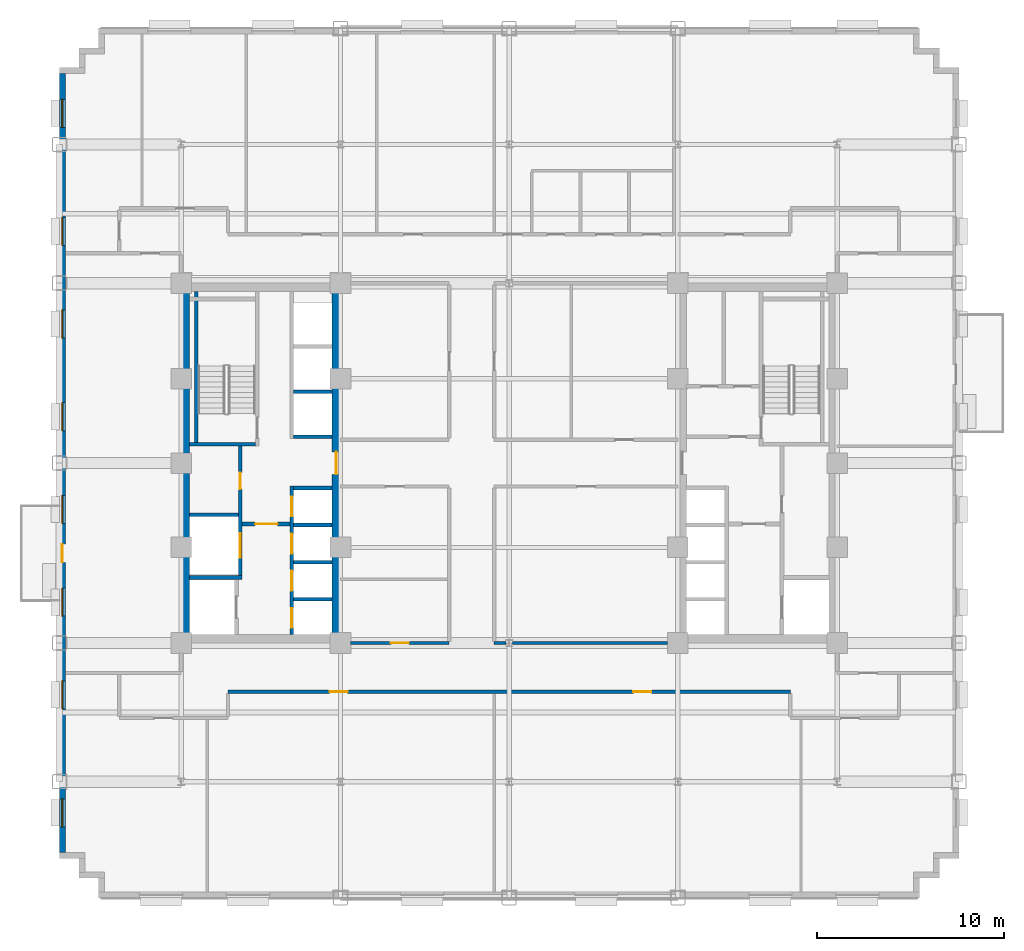
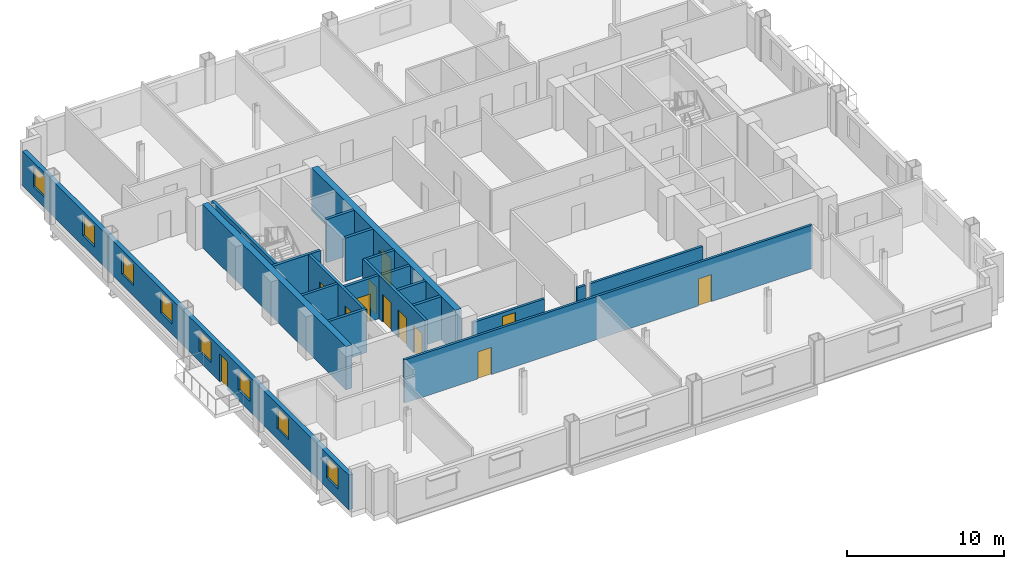
# One storey, part 6 of 15: 20 walls, 12 doors, 8 windows, 20 openings.
"""IFC4 building model written with IfcOpenShell, lengths in metres."""

from ifc_helpers import new_model, si_unit, direction, frame, frame_2d, origin, place, context, subcontext, project, spatial, rectangle, extrude, source, transform, mapped, material, layer, layer_set, type_object, type_shapes, element, fill, save


model = new_model("IFC4")

# Units and contexts
model_context = context("Model", 3, precision=1e-05, world=origin(), true_north=direction((0.0, 1.0)))
body_context = subcontext(model_context, "Body", "Model", "MODEL_VIEW")
ifc_project = project(units=[si_unit("LENGTHUNIT", "METRE"), si_unit("AREAUNIT", "SQUARE_METRE"), si_unit("VOLUMEUNIT", "CUBIC_METRE"), si_unit("PLANEANGLEUNIT", "RADIAN"), si_unit("MASSUNIT", "GRAM", prefix="KILO")], contexts=[model_context])

# Site, building, storey
site_placement = place(None, origin())
site = spatial("IfcSite", under=ifc_project, at=site_placement, CompositionType="ELEMENT")
building_placement = place(site_placement, origin())
building = spatial("IfcBuilding", under=site, at=building_placement, Name="Nuvemarco Arch Tower", CompositionType="ELEMENT")
storey_placement = place(building_placement, frame((0.0, 0.0, 86.0)))
storey = spatial("IfcBuildingStorey", under=building, at=storey_placement, Name="L22", CompositionType="ELEMENT", Elevation=86.0)

# Wall, openings, door, windows
ifc_material_1 = material(Name="Precast concrete C45/55", Category="concrete")
ifc_layer_1 = layer(ifc_material_1, 0.320068359375, Name="EW-MID-320")
ifc_layer_set_1 = layer_set([ifc_layer_1], Name="Precast concrete C45/55")
wall_type_1 = type_object("IfcWallType", Name="EW-MID-320", PredefinedType="STANDARD", material=ifc_layer_set_1)
wall_1_placement = place(storey_placement, frame((-23.840087890625, -20.783935546875, 0.0), z_axis=(0.0, 0.0, 1.0), x_axis=(0.0, 1.0, 0.0)))
wall_1 = element("IfcWall", 1, at=wall_1_placement, inside=storey, type_object=wall_type_1, Name="L22 exterior precast facade wall 16", PredefinedType="STANDARD", context=body_context, shape_type="SweptSolid", body=[
    extrude(rectangle(XDim=41.56787109375, YDim=0.320068359375, at=frame_2d((20.783935546875, 0.0))), origin(), (0.0, 0.0, 1.0), 2.705078125),
])
opening_1_placement = place(wall_1_placement, frame((15.48388671875, 0.0, 0.0)))
opening_1 = element("IfcOpeningElement", 2, at=opening_1_placement, cuts=wall_1, Name="Opening ED-6", PredefinedType="OPENING", context=body_context, shape_type="SweptSolid", body=[
    extrude(rectangle(XDim=0.97998046875, YDim=2.14990234375, at=frame_2d((0.489990234375, 1.074951171875))), frame((0.0, 0.169921875, 0.0), z_axis=(0.0, -1.0, 0.0), x_axis=(1.0, 0.0, 0.0)), (0.0, 0.0, 1.0), 0.340087890625),
])
opening_2_placement = place(wall_1_placement, frame((1.373046875, 0.0, 0.800048828125)))
opening_2 = element("IfcOpeningElement", 3, at=opening_2_placement, cuts=wall_1, Name="Opening WN-11", PredefinedType="OPENING", context=body_context, shape_type="SweptSolid", body=[
    extrude(rectangle(XDim=1.5, YDim=1.60009765625, at=frame_2d((0.75, 0.800048828125))), frame((0.0, 0.169921875, 0.0), z_axis=(0.0, -1.0, 0.0), x_axis=(1.0, 0.0, 0.0)), (0.0, 0.0, 1.0), 0.340087890625),
])
opening_3_placement = place(wall_1_placement, frame((7.6689453125, 0.0, 0.800048828125)))
opening_3 = element("IfcOpeningElement", 4, at=opening_3_placement, cuts=wall_1, Name="Opening WN-11", PredefinedType="OPENING", context=body_context, shape_type="SweptSolid", body=[
    extrude(rectangle(XDim=1.5, YDim=1.60009765625, at=frame_2d((0.75, 0.800048828125))), frame((0.0, 0.169921875, 0.0), z_axis=(0.0, -1.0, 0.0), x_axis=(1.0, 0.0, 0.0)), (0.0, 0.0, 1.0), 0.340087890625),
])
opening_4_placement = place(wall_1_placement, frame((12.614990234375, 0.0, 0.800048828125)))
opening_4 = element("IfcOpeningElement", 5, at=opening_4_placement, cuts=wall_1, Name="Opening WN-11", PredefinedType="OPENING", context=body_context, shape_type="SweptSolid", body=[
    extrude(rectangle(XDim=1.5, YDim=1.60009765625, at=frame_2d((0.75, 0.800048828125))), frame((0.0, 0.169921875, 0.0), z_axis=(0.0, -1.0, 0.0), x_axis=(1.0, 0.0, 0.0)), (0.0, 0.0, 1.0), 0.340087890625),
])
opening_5_placement = place(wall_1_placement, frame((17.56103515625, 0.0, 0.800048828125)))
opening_5 = element("IfcOpeningElement", 6, at=opening_5_placement, cuts=wall_1, Name="Opening WN-11", PredefinedType="OPENING", context=body_context, shape_type="SweptSolid", body=[
    extrude(rectangle(XDim=1.5, YDim=1.60009765625, at=frame_2d((0.75, 0.800048828125))), frame((0.0, 0.169921875, 0.0), z_axis=(0.0, -1.0, 0.0), x_axis=(1.0, 0.0, 0.0)), (0.0, 0.0, 1.0), 0.340087890625),
])
opening_6_placement = place(wall_1_placement, frame((22.507080078125, 0.0, 0.800048828125)))
opening_6 = element("IfcOpeningElement", 7, at=opening_6_placement, cuts=wall_1, Name="Opening WN-11", PredefinedType="OPENING", context=body_context, shape_type="SweptSolid", body=[
    extrude(rectangle(XDim=1.5, YDim=1.60009765625, at=frame_2d((0.75, 0.800048828125))), frame((0.0, 0.169921875, 0.0), z_axis=(0.0, -1.0, 0.0), x_axis=(1.0, 0.0, 0.0)), (0.0, 0.0, 1.0), 0.340087890625),
])
opening_7_placement = place(wall_1_placement, frame((27.452880859375, 0.0, 0.800048828125)))
opening_7 = element("IfcOpeningElement", 8, at=opening_7_placement, cuts=wall_1, Name="Opening WN-11", PredefinedType="OPENING", context=body_context, shape_type="SweptSolid", body=[
    extrude(rectangle(XDim=1.5, YDim=1.60009765625, at=frame_2d((0.75, 0.800048828125))), frame((0.0, 0.169921875, 0.0), z_axis=(0.0, -1.0, 0.0), x_axis=(1.0, 0.0, 0.0)), (0.0, 0.0, 1.0), 0.340087890625),
])
opening_8_placement = place(wall_1_placement, frame((32.39892578125, 0.0, 0.800048828125)))
opening_8 = element("IfcOpeningElement", 9, at=opening_8_placement, cuts=wall_1, Name="Opening WN-11", PredefinedType="OPENING", context=body_context, shape_type="SweptSolid", body=[
    extrude(rectangle(XDim=1.5, YDim=1.60009765625, at=frame_2d((0.75, 0.800048828125))), frame((0.0, 0.169921875, 0.0), z_axis=(0.0, -1.0, 0.0), x_axis=(1.0, 0.0, 0.0)), (0.0, 0.0, 1.0), 0.340087890625),
])
opening_9_placement = place(wall_1_placement, frame((38.695068359375, 0.0, 0.800048828125)))
opening_9 = element("IfcOpeningElement", 10, at=opening_9_placement, cuts=wall_1, Name="Opening WN-11", PredefinedType="OPENING", context=body_context, shape_type="SweptSolid", body=[
    extrude(rectangle(XDim=1.5, YDim=1.60009765625, at=frame_2d((0.75, 0.800048828125))), frame((0.0, 0.169921875, 0.0), z_axis=(0.0, -1.0, 0.0), x_axis=(1.0, 0.0, 0.0)), (0.0, 0.0, 1.0), 0.340087890625),
])
ifc_material_2 = material(Name="Anodised bronze and laminated glass", Category="glass")
door_type_1 = type_object("IfcDoorType", Name="DR-EXT-BALC", OperationType="NOTDEFINED", PredefinedType="DOOR", material=ifc_material_2)
shared_shape_1 = source(origin(), body_context, "Body", "SweptSolid", [
    extrude(rectangle(XDim=0.97998046875, YDim=2.14990234375, at=frame_2d((0.489990234375, 1.074951171875))), frame((0.0, 0.02490234375, 0.0), z_axis=(0.0, -1.0, 0.0), x_axis=(1.0, 0.0, 0.0)), (0.0, 0.0, 1.0), 0.050048828125),
])
type_shapes(door_type_1, [shared_shape_1])
door_1_placement = place(opening_1_placement, origin())
door_1 = element("IfcDoor", 11, at=door_1_placement, inside=storey, type_object=door_type_1, Name="L22 tree balcony access door", OperationType="SINGLE_SWING_LEFT", OverallHeight=2.14990234375, OverallWidth=0.97998046875, PredefinedType="DOOR", context=body_context, shape_type="MappedRepresentation", body=[
    mapped(shared_shape_1, transform((0.0, 0.0, 0.0), scale=1.0)),
])
fill(opening_1, door_1)
ifc_material_3 = material(Name="Insulated solar-control glass", Category="glass")
window_type = type_object("IfcWindowType", Name="WN-STEP-1500x1850", PartitioningType="SINGLE_PANEL", PredefinedType="WINDOW", material=ifc_material_3)
shared_shape_2 = source(origin(), body_context, "Body", "SweptSolid", [
    extrude(rectangle(XDim=1.5, YDim=1.60009765625, at=frame_2d((0.75, 0.800048828125))), frame((0.0, 0.030029296875, 0.0), z_axis=(0.0, -1.0, 0.0), x_axis=(1.0, 0.0, 0.0)), (0.0, 0.0, 1.0), 0.06005859375),
])
type_shapes(window_type, [shared_shape_2])
window_1_placement = place(opening_2_placement, origin())
window_1 = element("IfcWindow", 12, at=window_1_placement, inside=storey, type_object=window_type, Name="L22 punched facade window 1", OverallHeight=1.60009765625, OverallWidth=1.5, PartitioningType="SINGLE_PANEL", PredefinedType="WINDOW", context=body_context, shape_type="MappedRepresentation", body=[
    mapped(shared_shape_2, transform((0.0, 0.0, 0.0), scale=1.0)),
])
fill(opening_2, window_1)
window_2_placement = place(opening_3_placement, origin())
window_2 = element("IfcWindow", 13, at=window_2_placement, inside=storey, type_object=window_type, Name="L22 punched facade window 2", OverallHeight=1.60009765625, OverallWidth=1.5, PartitioningType="SINGLE_PANEL", PredefinedType="WINDOW", context=body_context, shape_type="MappedRepresentation", body=[
    mapped(shared_shape_2, transform((0.0, 0.0, 0.0), scale=1.0)),
])
fill(opening_3, window_2)
window_3_placement = place(opening_4_placement, origin())
window_3 = element("IfcWindow", 14, at=window_3_placement, inside=storey, type_object=window_type, Name="L22 punched facade window 3", OverallHeight=1.60009765625, OverallWidth=1.5, PartitioningType="SINGLE_PANEL", PredefinedType="WINDOW", context=body_context, shape_type="MappedRepresentation", body=[
    mapped(shared_shape_2, transform((0.0, 0.0, 0.0), scale=1.0)),
])
fill(opening_4, window_3)
window_4_placement = place(opening_5_placement, origin())
window_4 = element("IfcWindow", 15, at=window_4_placement, inside=storey, type_object=window_type, Name="L22 punched facade window 4", OverallHeight=1.60009765625, OverallWidth=1.5, PartitioningType="SINGLE_PANEL", PredefinedType="WINDOW", context=body_context, shape_type="MappedRepresentation", body=[
    mapped(shared_shape_2, transform((0.0, 0.0, 0.0), scale=1.0)),
])
fill(opening_5, window_4)
window_5_placement = place(opening_6_placement, origin())
window_5 = element("IfcWindow", 16, at=window_5_placement, inside=storey, type_object=window_type, Name="L22 punched facade window 5", OverallHeight=1.60009765625, OverallWidth=1.5, PartitioningType="SINGLE_PANEL", PredefinedType="WINDOW", context=body_context, shape_type="MappedRepresentation", body=[
    mapped(shared_shape_2, transform((0.0, 0.0, 0.0), scale=1.0)),
])
fill(opening_6, window_5)
window_6_placement = place(opening_7_placement, origin())
window_6 = element("IfcWindow", 17, at=window_6_placement, inside=storey, type_object=window_type, Name="L22 punched facade window 6", OverallHeight=1.60009765625, OverallWidth=1.5, PartitioningType="SINGLE_PANEL", PredefinedType="WINDOW", context=body_context, shape_type="MappedRepresentation", body=[
    mapped(shared_shape_2, transform((0.0, 0.0, 0.0), scale=1.0)),
])
fill(opening_7, window_6)
window_7_placement = place(opening_8_placement, origin())
window_7 = element("IfcWindow", 18, at=window_7_placement, inside=storey, type_object=window_type, Name="L22 punched facade window 7", OverallHeight=1.60009765625, OverallWidth=1.5, PartitioningType="SINGLE_PANEL", PredefinedType="WINDOW", context=body_context, shape_type="MappedRepresentation", body=[
    mapped(shared_shape_2, transform((0.0, 0.0, 0.0), scale=1.0)),
])
fill(opening_8, window_7)
window_8_placement = place(opening_9_placement, origin())
window_8 = element("IfcWindow", 19, at=window_8_placement, inside=storey, type_object=window_type, Name="L22 punched facade window 8", OverallHeight=1.60009765625, OverallWidth=1.5, PartitioningType="SINGLE_PANEL", PredefinedType="WINDOW", context=body_context, shape_type="MappedRepresentation", body=[
    mapped(shared_shape_2, transform((0.0, 0.0, 0.0), scale=1.0)),
])
fill(opening_9, window_8)

# Wall
ifc_material_4 = material(Name="Concrete C60/75", Category="concrete")
ifc_layer_2 = layer(ifc_material_4, 0.449951171875, Name="WL-CORE-450")
ifc_layer_set_2 = layer_set([ifc_layer_2], Name="Concrete C60/75")
wall_type_2 = type_object("IfcWallType", Name="WL-CORE-450", PredefinedType="SHEAR", material=ifc_layer_set_2)
wall_2_placement = place(storey_placement, frame((-17.27490234375, -9.155029296875, 0.0), z_axis=(0.0, 0.0, 1.0), x_axis=(0.0, 1.0, 0.0)))
element("IfcWall", 20, at=wall_2_placement, inside=storey, type_object=wall_type_2, Name="L22 W-core shear wall W", PredefinedType="SHEAR", context=body_context, shape_type="SweptSolid", body=[
    extrude(rectangle(XDim=18.31005859375, YDim=0.449951171875, at=frame_2d((9.155029296875, 0.0))), origin(), (0.0, 0.0, 1.0), 3.3701171875),
])

# Wall, opening, door
wall_3_placement = place(storey_placement, frame((-9.22509765625, -9.155029296875, 0.0), z_axis=(0.0, 0.0, 1.0), x_axis=(0.0, 1.0, 0.0)))
wall_3 = element("IfcWall", 21, at=wall_3_placement, inside=storey, type_object=wall_type_2, Name="L22 W-core shear wall E", PredefinedType="SHEAR", context=body_context, shape_type="SweptSolid", body=[
    extrude(rectangle(XDim=18.31005859375, YDim=0.449951171875, at=frame_2d((9.155029296875, 0.0))), origin(), (0.0, 0.0, 1.0), 3.3701171875),
])
opening_10_placement = place(wall_3_placement, frame((8.554931640625, 0.0, 0.0)))
opening_10 = element("IfcOpeningElement", 22, at=opening_10_placement, cuts=wall_3, Name="Opening FD-2", PredefinedType="OPENING", context=body_context, shape_type="SweptSolid", body=[
    extrude(rectangle(XDim=1.199951171875, YDim=2.14990234375, at=frame_2d((0.60009765625, 1.074951171875))), frame((0.0, 0.23486328125, 0.0), z_axis=(0.0, -1.0, 0.0), x_axis=(1.0, 0.0, 0.0)), (0.0, 0.0, 1.0), 0.469970703125),
])
ifc_material_5 = material(Name="Anodised steel fire door", Category="steel")
door_type_2 = type_object("IfcDoorType", Name="DR-FFLOB-FD", OperationType="NOTDEFINED", PredefinedType="DOOR", material=ifc_material_5)
shared_shape_3 = source(origin(), body_context, "Body", "SweptSolid", [
    extrude(rectangle(XDim=1.199951171875, YDim=2.14990234375, at=frame_2d((0.60009765625, 1.074951171875))), frame((0.0, 0.02490234375, 0.0), z_axis=(0.0, -1.0, 0.0), x_axis=(1.0, 0.0, 0.0)), (0.0, 0.0, 1.0), 0.050048828125),
])
type_shapes(door_type_2, [shared_shape_3])
door_2_placement = place(opening_10_placement, origin())
door_2 = element("IfcDoor", 23, at=door_2_placement, inside=storey, type_object=door_type_2, Name="L22 door FD-L22-WCORE-E", OperationType="SINGLE_SWING_RIGHT", OverallHeight=2.14990234375, OverallWidth=1.199951171875, PredefinedType="DOOR", context=body_context, shape_type="MappedRepresentation", body=[
    mapped(shared_shape_3, transform((0.0, 0.0, 0.0), scale=1.0)),
])
fill(opening_10, door_2)

# Wall, openings, doors
ifc_material_6 = material(Name="Fire-rated gypsum drywall partition")
ifc_layer_3 = layer(ifc_material_6, 0.179931640625, Name="WL-CORR-180")
ifc_layer_set_3 = layer_set([ifc_layer_3], Name="Fire-rated gypsum drywall partition")
wall_type_3 = type_object("IfcWallType", Name="WL-CORR-180", PredefinedType="PARTITIONING", material=ifc_layer_set_3)
wall_4_placement = place(storey_placement, frame((-15.0, -12.199951171875, 0.0), z_axis=(0.0, 0.0, 1.0), x_axis=(1.0, 0.0, 0.0)))
wall_4 = element("IfcWall", 24, at=wall_4_placement, inside=storey, type_object=wall_type_3, Name="L22 interior wall IW-L22-003", PredefinedType="PARTITIONING", context=body_context, shape_type="SweptSolid", body=[
    extrude(rectangle(XDim=30.0, YDim=0.179931640625, at=frame_2d((15.0, 0.0))), origin(), (0.0, 0.0, 1.0), 3.360107421875),
])
opening_11_placement = place(wall_4_placement, frame((21.6201171875, 0.0, 0.0)))
opening_11 = element("IfcOpeningElement", 25, at=opening_11_placement, cuts=wall_4, Name="Opening FD-5", PredefinedType="OPENING", context=body_context, shape_type="SweptSolid", body=[
    extrude(rectangle(XDim=0.9599609375, YDim=2.10009765625, at=frame_2d((0.47998046875, 1.050048828125))), frame((0.0, 0.099853515625, 0.0), z_axis=(0.0, -1.0, 0.0), x_axis=(1.0, 0.0, 0.0)), (0.0, 0.0, 1.0), 0.199951171875),
])
opening_12_placement = place(wall_4_placement, frame((5.419921875, 0.0, 0.0)))
opening_12 = element("IfcOpeningElement", 26, at=opening_12_placement, cuts=wall_4, Name="Opening FD-5", PredefinedType="OPENING", context=body_context, shape_type="SweptSolid", body=[
    extrude(rectangle(XDim=0.9599609375, YDim=2.10009765625, at=frame_2d((0.47998046875, 1.050048828125))), frame((0.0, 0.099853515625, 0.0), z_axis=(0.0, -1.0, 0.0), x_axis=(1.0, 0.0, 0.0)), (0.0, 0.0, 1.0), 0.199951171875),
])
ifc_material_7 = material(Name="Timber fire door", Category="wood")
door_type_3 = type_object("IfcDoorType", Name="DR-CORR-FD", OperationType="NOTDEFINED", PredefinedType="DOOR", material=ifc_material_7)
shared_shape_4 = source(origin(), body_context, "Body", "SweptSolid", [
    extrude(rectangle(XDim=0.9599609375, YDim=2.10009765625, at=frame_2d((0.47998046875, 1.050048828125))), frame((0.0, 0.02490234375, 0.0), z_axis=(0.0, -1.0, 0.0), x_axis=(1.0, 0.0, 0.0)), (0.0, 0.0, 1.0), 0.050048828125),
])
type_shapes(door_type_3, [shared_shape_4])
door_3_placement = place(opening_11_placement, origin())
door_3 = element("IfcDoor", 27, at=door_3_placement, inside=storey, type_object=door_type_3, Name="L22 door DR-L22-S_3", OperationType="SINGLE_SWING_LEFT", OverallHeight=2.10009765625, OverallWidth=0.9599609375, PredefinedType="DOOR", context=body_context, shape_type="MappedRepresentation", body=[
    mapped(shared_shape_4, transform((0.0, 0.0, 0.0), scale=1.0)),
])
fill(opening_11, door_3)
door_4_placement = place(opening_12_placement, origin())
door_4 = element("IfcDoor", 28, at=door_4_placement, inside=storey, type_object=door_type_3, Name="L22 door DR-L22-S_2", OperationType="SINGLE_SWING_RIGHT", OverallHeight=2.10009765625, OverallWidth=0.9599609375, PredefinedType="DOOR", context=body_context, shape_type="MappedRepresentation", body=[
    mapped(shared_shape_4, transform((0.0, 0.0, 0.0), scale=1.0)),
])
fill(opening_12, door_4)

# Wall, opening, door
wall_5_placement = place(storey_placement, frame((-8.4541015625, -9.60009765625, 0.0), z_axis=(0.0, 0.0, 1.0), x_axis=(1.0, 0.0, 0.0)))
wall_5 = element("IfcWall", 29, at=wall_5_placement, inside=storey, type_object=wall_type_3, Name="L22 interior wall IW-L22-006", PredefinedType="PARTITIONING", context=body_context, shape_type="SweptSolid", body=[
    extrude(rectangle(XDim=5.254150390625, YDim=0.179931640625, at=frame_2d((2.626953125, 0.0))), origin(), (0.0, 0.0, 1.0), 2.405029296875),
])
opening_13_placement = place(wall_5_placement, frame((2.14697265625, 0.0, 0.0)))
opening_13 = element("IfcOpeningElement", 30, at=opening_13_placement, cuts=wall_5, Name="Opening FD-5", PredefinedType="OPENING", context=body_context, shape_type="SweptSolid", body=[
    extrude(rectangle(XDim=0.9599609375, YDim=2.10009765625, at=frame_2d((0.47998046875, 1.050048828125))), frame((0.0, 0.099853515625, 0.0), z_axis=(0.0, -1.0, 0.0), x_axis=(1.0, 0.0, 0.0)), (0.0, 0.0, 1.0), 0.199951171875),
])
door_5_placement = place(opening_13_placement, origin())
door_5 = element("IfcDoor", 31, at=door_5_placement, inside=storey, type_object=door_type_3, Name="L22 door DR-L22-C_SW2", OperationType="SINGLE_SWING_RIGHT", OverallHeight=2.10009765625, OverallWidth=0.9599609375, PredefinedType="DOOR", context=body_context, shape_type="MappedRepresentation", body=[
    mapped(shared_shape_4, transform((0.0, 0.0, 0.0), scale=1.0)),
])
fill(opening_13, door_5)

# Walls
wall_6_placement = place(storey_placement, frame((-0.800048828125, -9.60009765625, 0.0), z_axis=(0.0, 0.0, 1.0), x_axis=(1.0, 0.0, 0.0)))
element("IfcWall", 32, at=wall_6_placement, inside=storey, type_object=wall_type_3, Name="L22 interior wall IW-L22-007", PredefinedType="PARTITIONING", context=body_context, shape_type="SweptSolid", body=[
    extrude(rectangle(XDim=0.6240234375, YDim=0.179931640625, at=frame_2d((0.31201171875, 0.0))), origin(), (0.0, 0.0, 1.0), 2.405029296875),
])
wall_7_placement = place(storey_placement, frame((0.176025390625, -9.60009765625, 0.0), z_axis=(0.0, 0.0, 1.0), x_axis=(1.0, 0.0, 0.0)))
element("IfcWall", 33, at=wall_7_placement, inside=storey, type_object=wall_type_3, Name="L22 interior wall IW-L22-008", PredefinedType="PARTITIONING", context=body_context, shape_type="SweptSolid", body=[
    extrude(rectangle(XDim=8.278076171875, YDim=0.179931640625, at=frame_2d((4.13916015625, 0.0))), origin(), (0.0, 0.0, 1.0), 2.405029296875),
])
ifc_material_8 = material(Name="Concrete C50/60", Category="concrete")
ifc_layer_4 = layer(ifc_material_8, 0.199951171875, Name="WL-SHAFT-220")
ifc_layer_set_4 = layer_set([ifc_layer_4], Name="Concrete C50/60")
wall_type_4 = type_object("IfcWallType", Name="WL-SHAFT-220", PredefinedType="SHEAR", material=ifc_layer_set_4)
wall_8_placement = place(storey_placement, frame((-17.054931640625, 1.0, 0.0), z_axis=(0.0, 0.0, 1.0), x_axis=(1.0, 0.0, 0.0)))
element("IfcWall", 34, at=wall_8_placement, inside=storey, type_object=wall_type_4, Name="L22 structural shaft wall SW-L22-W-ST1S", PredefinedType="SHEAR", context=body_context, shape_type="SweptSolid", body=[
    extrude(rectangle(XDim=3.52001953125, YDim=0.199951171875, at=frame_2d((1.760009765625, 0.0))), origin(), (0.0, 0.0, 1.0), 3.3701171875),
])
wall_9_placement = place(storey_placement, frame((-16.699951171875, 1.094970703125, 0.0), z_axis=(0.0, 0.0, 1.0), x_axis=(0.0, 1.0, 0.0)))
element("IfcWall", 35, at=wall_9_placement, inside=storey, type_object=wall_type_4, Name="L22 structural shaft wall SW-L22-W-ST1W", PredefinedType="SHEAR", context=body_context, shape_type="SweptSolid", body=[
    extrude(rectangle(XDim=8.06005859375, YDim=0.199951171875, at=frame_2d((4.030029296875, 0.0))), origin(), (0.0, 0.0, 1.0), 3.3701171875),
])

# Wall, openings, doors
wall_10_placement = place(storey_placement, frame((-14.35009765625, -6.199951171875, 0.0), z_axis=(0.0, 0.0, 1.0), x_axis=(0.0, 1.0, 0.0)))
wall_10 = element("IfcWall", 36, at=wall_10_placement, inside=storey, type_object=wall_type_4, Name="L22 structural shaft wall SW-L22-W-SVE", PredefinedType="SHEAR", context=body_context, shape_type="SweptSolid", body=[
    extrude(rectangle(XDim=7.10498046875, YDim=0.199951171875, at=frame_2d((3.552490234375, 0.0))), origin(), (0.0, 0.0, 1.0), 3.3701171875),
])
opening_14_placement = place(wall_10_placement, frame((5.68994140625, 0.0, 0.0), z_axis=(0.0, 0.0, 1.0), x_axis=(-1.0, 0.0, 0.0)))
opening_14 = element("IfcOpeningElement", 37, at=opening_14_placement, cuts=wall_10, Name="Opening FD-4", PredefinedType="OPENING", context=body_context, shape_type="SweptSolid", body=[
    extrude(rectangle(XDim=0.8798828125, YDim=2.10009765625, at=frame_2d((0.43994140625, 1.050048828125))), frame((0.0, 0.10986328125, 0.0), z_axis=(0.0, -1.0, 0.0), x_axis=(1.0, 0.0, 0.0)), (0.0, 0.0, 1.0), 0.219970703125),
])
opening_15_placement = place(wall_10_placement, frame((1.14990234375, 0.0, 0.0)))
opening_15 = element("IfcOpeningElement", 38, at=opening_15_placement, cuts=wall_10, Name="Opening LD-3", PredefinedType="OPENING", context=body_context, shape_type="SweptSolid", body=[
    extrude(rectangle(XDim=1.300048828125, YDim=2.199951171875, at=frame_2d((0.64990234375, 1.10009765625))), frame((0.0, 0.10986328125, 0.0), z_axis=(0.0, -1.0, 0.0), x_axis=(1.0, 0.0, 0.0)), (0.0, 0.0, 1.0), 0.219970703125),
])
door_type_4 = type_object("IfcDoorType", Name="DR-RISER-FD", OperationType="NOTDEFINED", PredefinedType="DOOR", material=ifc_material_5)
shared_shape_5 = source(origin(), body_context, "Body", "SweptSolid", [
    extrude(rectangle(XDim=0.8798828125, YDim=2.10009765625, at=frame_2d((0.43994140625, 1.050048828125))), frame((0.0, 0.02490234375, 0.0), z_axis=(0.0, -1.0, 0.0), x_axis=(1.0, 0.0, 0.0)), (0.0, 0.0, 1.0), 0.050048828125),
])
type_shapes(door_type_4, [shared_shape_5])
door_6_placement = place(opening_14_placement, origin())
door_6 = element("IfcDoor", 39, at=door_6_placement, inside=storey, type_object=door_type_4, Name="L22 door FD-L22-WRIS", OperationType="SINGLE_SWING_RIGHT", OverallHeight=2.10009765625, OverallWidth=0.8798828125, PredefinedType="DOOR", context=body_context, shape_type="MappedRepresentation", body=[
    mapped(shared_shape_5, transform((0.0, 0.0, 0.0), scale=1.0)),
])
fill(opening_14, door_6)
ifc_material_9 = material(Name="Stainless steel lift door", Category="steel")
door_type_5 = type_object("IfcDoorType", Name="DR-LIFT-SERV", OperationType="DOUBLE_DOOR_SLIDING", PredefinedType="DOOR", material=ifc_material_9)
shared_shape_6 = source(origin(), body_context, "Body", "SweptSolid", [
    extrude(rectangle(XDim=1.300048828125, YDim=2.199951171875, at=frame_2d((0.64990234375, 1.10009765625))), frame((0.0, 0.02490234375, 0.0), z_axis=(0.0, -1.0, 0.0), x_axis=(1.0, 0.0, 0.0)), (0.0, 0.0, 1.0), 0.050048828125),
])
type_shapes(door_type_5, [shared_shape_6])
door_7_placement = place(opening_15_placement, origin())
door_7 = element("IfcDoor", 40, at=door_7_placement, inside=storey, type_object=door_type_5, Name="L22 Lift landing sliding door SVL-1", OperationType="DOUBLE_DOOR_SLIDING", OverallHeight=2.199951171875, OverallWidth=1.300048828125, PredefinedType="DOOR", context=body_context, shape_type="MappedRepresentation", body=[
    mapped(shared_shape_6, transform((0.0, 0.0, 0.0), scale=1.0)),
])
fill(opening_15, door_7)

# Walls
wall_11_placement = place(storey_placement, frame((-17.054931640625, -6.10009765625, 0.0), z_axis=(0.0, 0.0, 1.0), x_axis=(1.0, 0.0, 0.0)))
element("IfcWall", 41, at=wall_11_placement, inside=storey, type_object=wall_type_4, Name="L22 structural shaft wall SW-L22-W-SH1", PredefinedType="SHEAR", context=body_context, shape_type="SweptSolid", body=[
    extrude(rectangle(XDim=2.804931640625, YDim=0.199951171875, at=frame_2d((1.40234375, 0.0))), origin(), (0.0, 0.0, 1.0), 3.3701171875),
])
wall_12_placement = place(storey_placement, frame((-17.054931640625, -2.75, 0.0), z_axis=(0.0, 0.0, 1.0), x_axis=(1.0, 0.0, 0.0)))
element("IfcWall", 42, at=wall_12_placement, inside=storey, type_object=wall_type_4, Name="L22 structural shaft wall SW-L22-W-SH2", PredefinedType="SHEAR", context=body_context, shape_type="SweptSolid", body=[
    extrude(rectangle(XDim=2.60986328125, YDim=0.199951171875, at=frame_2d((1.304931640625, 0.0))), origin(), (0.0, 0.0, 1.0), 3.3701171875),
])

# Wall, openings, doors
wall_13_placement = place(storey_placement, frame((-11.60009765625, -9.155029296875, 0.0), z_axis=(0.0, 0.0, 1.0), x_axis=(0.0, 1.0, 0.0)))
wall_13 = element("IfcWall", 43, at=wall_13_placement, inside=storey, type_object=wall_type_4, Name="L22 structural shaft wall SW-L22-W-PLW", PredefinedType="SHEAR", context=body_context, shape_type="SweptSolid", body=[
    extrude(rectangle(XDim=7.925048828125, YDim=0.199951171875, at=frame_2d((3.96240234375, 0.0))), origin(), (0.0, 0.0, 1.0), 3.3701171875),
])
opening_16_placement = place(wall_13_placement, frame((0.3701171875, 0.0, 0.0)))
opening_16 = element("IfcOpeningElement", 44, at=opening_16_placement, cuts=wall_13, Name="Opening LD-1", PredefinedType="OPENING", context=body_context, shape_type="SweptSolid", body=[
    extrude(rectangle(XDim=1.050048828125, YDim=2.14990234375, at=frame_2d((0.52490234375, 1.074951171875))), frame((0.0, 0.10986328125, 0.0), z_axis=(0.0, -1.0, 0.0), x_axis=(1.0, 0.0, 0.0)), (0.0, 0.0, 1.0), 0.219970703125),
])
opening_17_placement = place(wall_13_placement, frame((2.35009765625, 0.0, 0.0)))
opening_17 = element("IfcOpeningElement", 45, at=opening_17_placement, cuts=wall_13, Name="Opening LD-1", PredefinedType="OPENING", context=body_context, shape_type="SweptSolid", body=[
    extrude(rectangle(XDim=1.050048828125, YDim=2.14990234375, at=frame_2d((0.52490234375, 1.074951171875))), frame((0.0, 0.10986328125, 0.0), z_axis=(0.0, -1.0, 0.0), x_axis=(1.0, 0.0, 0.0)), (0.0, 0.0, 1.0), 0.219970703125),
])
opening_18_placement = place(wall_13_placement, frame((4.330078125, 0.0, 0.0)))
opening_18 = element("IfcOpeningElement", 46, at=opening_18_placement, cuts=wall_13, Name="Opening LD-1", PredefinedType="OPENING", context=body_context, shape_type="SweptSolid", body=[
    extrude(rectangle(XDim=1.050048828125, YDim=2.14990234375, at=frame_2d((0.52490234375, 1.074951171875))), frame((0.0, 0.10986328125, 0.0), z_axis=(0.0, -1.0, 0.0), x_axis=(1.0, 0.0, 0.0)), (0.0, 0.0, 1.0), 0.219970703125),
])
opening_19_placement = place(wall_13_placement, frame((6.31005859375, 0.0, 0.0)))
opening_19 = element("IfcOpeningElement", 47, at=opening_19_placement, cuts=wall_13, Name="Opening LD-1", PredefinedType="OPENING", context=body_context, shape_type="SweptSolid", body=[
    extrude(rectangle(XDim=1.050048828125, YDim=2.14990234375, at=frame_2d((0.52490234375, 1.074951171875))), frame((0.0, 0.10986328125, 0.0), z_axis=(0.0, -1.0, 0.0), x_axis=(1.0, 0.0, 0.0)), (0.0, 0.0, 1.0), 0.219970703125),
])
door_type_6 = type_object("IfcDoorType", Name="DR-LIFT-PASS", OperationType="DOUBLE_DOOR_SLIDING", PredefinedType="DOOR", material=ifc_material_9)
shared_shape_7 = source(origin(), body_context, "Body", "SweptSolid", [
    extrude(rectangle(XDim=1.050048828125, YDim=2.14990234375, at=frame_2d((0.52490234375, 1.074951171875))), frame((0.0, 0.02490234375, 0.0), z_axis=(0.0, -1.0, 0.0), x_axis=(1.0, 0.0, 0.0)), (0.0, 0.0, 1.0), 0.050048828125),
])
type_shapes(door_type_6, [shared_shape_7])
door_8_placement = place(opening_16_placement, origin())
door_8 = element("IfcDoor", 48, at=door_8_placement, inside=storey, type_object=door_type_6, Name="L22 Lift landing sliding door PL-1", OperationType="DOUBLE_DOOR_SLIDING", OverallHeight=2.14990234375, OverallWidth=1.050048828125, PredefinedType="DOOR", context=body_context, shape_type="MappedRepresentation", body=[
    mapped(shared_shape_7, transform((0.0, 0.0, 0.0), scale=1.0)),
])
fill(opening_16, door_8)
door_9_placement = place(opening_17_placement, origin())
door_9 = element("IfcDoor", 49, at=door_9_placement, inside=storey, type_object=door_type_6, Name="L22 Lift landing sliding door PL-2", OperationType="DOUBLE_DOOR_SLIDING", OverallHeight=2.14990234375, OverallWidth=1.050048828125, PredefinedType="DOOR", context=body_context, shape_type="MappedRepresentation", body=[
    mapped(shared_shape_7, transform((0.0, 0.0, 0.0), scale=1.0)),
])
fill(opening_17, door_9)
door_10_placement = place(opening_18_placement, origin())
door_10 = element("IfcDoor", 50, at=door_10_placement, inside=storey, type_object=door_type_6, Name="L22 Lift landing sliding door PL-3", OperationType="DOUBLE_DOOR_SLIDING", OverallHeight=2.14990234375, OverallWidth=1.050048828125, PredefinedType="DOOR", context=body_context, shape_type="MappedRepresentation", body=[
    mapped(shared_shape_7, transform((0.0, 0.0, 0.0), scale=1.0)),
])
fill(opening_18, door_10)
door_11_placement = place(opening_19_placement, origin())
door_11 = element("IfcDoor", 51, at=door_11_placement, inside=storey, type_object=door_type_6, Name="L22 Lift landing sliding door PL-4", OperationType="DOUBLE_DOOR_SLIDING", OverallHeight=2.14990234375, OverallWidth=1.050048828125, PredefinedType="DOOR", context=body_context, shape_type="MappedRepresentation", body=[
    mapped(shared_shape_7, transform((0.0, 0.0, 0.0), scale=1.0)),
])
fill(opening_19, door_11)

# Wall, opening, door
wall_14_placement = place(storey_placement, frame((-14.2548828125, -3.25, 0.0), z_axis=(0.0, 0.0, 1.0), x_axis=(1.0, 0.0, 0.0)))
wall_14 = element("IfcWall", 52, at=wall_14_placement, inside=storey, type_object=wall_type_4, Name="L22 structural shaft wall SW-L22-W-FFN", PredefinedType="SHEAR", context=body_context, shape_type="SweptSolid", body=[
    extrude(rectangle(XDim=2.559814453125, YDim=0.199951171875, at=frame_2d((1.27978515625, 0.0))), origin(), (0.0, 0.0, 1.0), 3.3701171875),
])
opening_20_placement = place(wall_14_placement, frame((0.705078125, 0.0, 0.0)))
opening_20 = element("IfcOpeningElement", 53, at=opening_20_placement, cuts=wall_14, Name="Opening FD-2", PredefinedType="OPENING", context=body_context, shape_type="SweptSolid", body=[
    extrude(rectangle(XDim=1.199951171875, YDim=2.14990234375, at=frame_2d((0.60009765625, 1.074951171875))), frame((0.0, 0.10986328125, 0.0), z_axis=(0.0, -1.0, 0.0), x_axis=(1.0, 0.0, 0.0)), (0.0, 0.0, 1.0), 0.219970703125),
])
door_12_placement = place(opening_20_placement, origin())
door_12 = element("IfcDoor", 54, at=door_12_placement, inside=storey, type_object=door_type_2, Name="L22 door FD-L22-WFF1", OperationType="SINGLE_SWING_RIGHT", OverallHeight=2.14990234375, OverallWidth=1.199951171875, PredefinedType="DOOR", context=body_context, shape_type="MappedRepresentation", body=[
    mapped(shared_shape_3, transform((0.0, 0.0, 0.0), scale=1.0)),
])
fill(opening_20, door_12)

# Walls
for number, where, z_axis, x_axis, name in (
    (55, (-11.5048828125, -7.27001953125, 0.0), (0.0, 0.0, 1.0), (1.0, 0.0, 0.0), "L22 structural shaft wall SW-L22-W-PLD1"),
    (56, (-11.5048828125, -5.2900390625, 0.0), (0.0, 0.0, 1.0), (1.0, 0.0, 0.0), "L22 structural shaft wall SW-L22-W-PLD2"),
    (57, (-11.5048828125, -3.31005859375, 0.0), (0.0, 0.0, 1.0), (1.0, 0.0, 0.0), "L22 structural shaft wall SW-L22-W-PLD3"),
    (58, (-11.5048828125, -1.330078125, 0.0), (0.0, 0.0, 1.0), (1.0, 0.0, 0.0), "L22 structural shaft wall SW-L22-W-PLD4"),
    (59, (-11.5048828125, 1.39990234375, 0.0), (0.0, 0.0, 1.0), (1.0, 0.0, 0.0), "L22 structural shaft wall SW-L22-W-PHD1"),
    (60, (-11.5048828125, 3.800048828125, 0.0), (0.0, 0.0, 1.0), (1.0, 0.0, 0.0), "L22 structural shaft wall SW-L22-W-PHD2"),
):
    element("IfcWall", number, at=place(storey_placement, frame(where, z_axis=z_axis, x_axis=x_axis)), inside=storey, type_object=wall_type_4, Name=name, PredefinedType="SHEAR", context=body_context, shape_type="SweptSolid", body=[
        extrude(rectangle(XDim=2.059814453125, YDim=0.199951171875, at=frame_2d((1.02978515625, 0.0))), origin(), (0.0, 0.0, 1.0), 3.3701171875),
    ])

save(model, "model.ifc")
